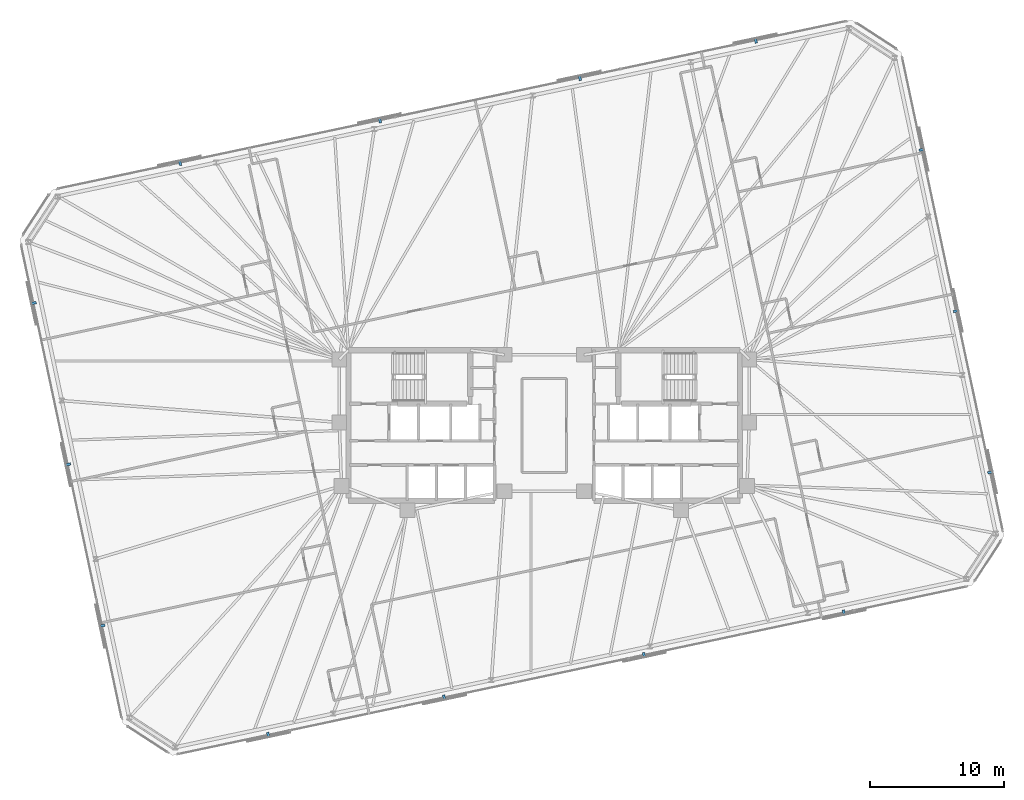
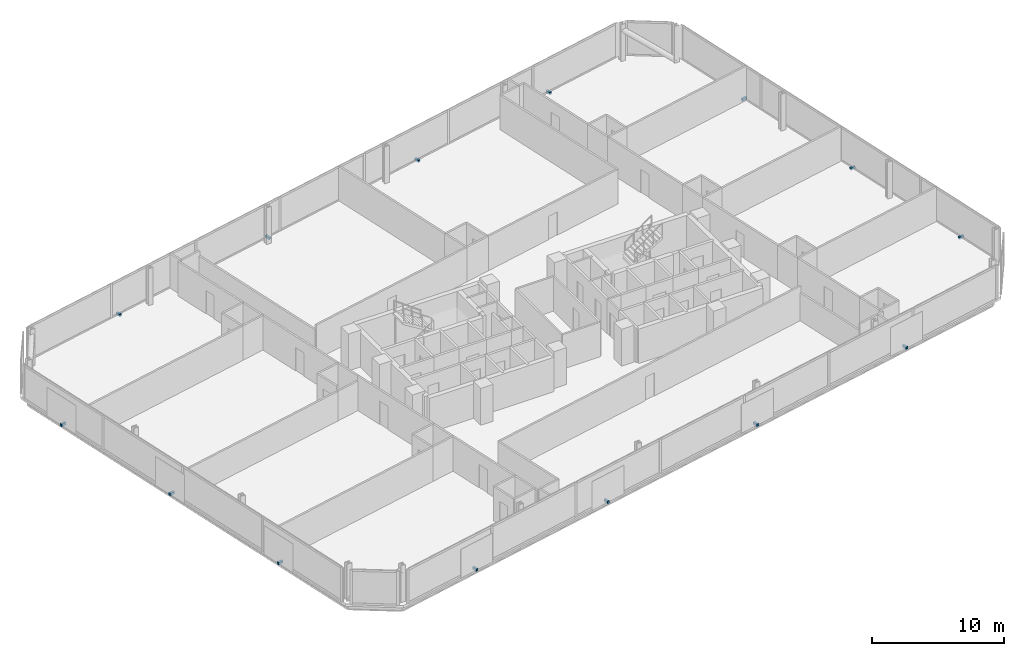
# One storey, part 18 of 19: 14 discrete accessories.
"""IFC4 building model written with IfcOpenShell, lengths in metres."""

from ifc_helpers import new_model, si_unit, direction, frame, origin, origin_2d, place, context, subcontext, project, spatial, rectangle, extrude, material, type_object, element, save


model = new_model("IFC4")

# Units and contexts
model_context = context("Model", 3, precision=1e-05, world=origin(), true_north=direction((0.0, 1.0)))
body_context = subcontext(model_context, "Body", "Model", "MODEL_VIEW")
ifc_project = project(units=[si_unit("LENGTHUNIT", "METRE"), si_unit("AREAUNIT", "SQUARE_METRE"), si_unit("VOLUMEUNIT", "CUBIC_METRE"), si_unit("PLANEANGLEUNIT", "RADIAN"), si_unit("MASSUNIT", "GRAM", prefix="KILO")], contexts=[model_context])

# Site, building, storey
site_placement = place(None, origin())
site = spatial("IfcSite", under=ifc_project, at=site_placement, CompositionType="ELEMENT")
building_placement = place(site_placement, origin())
building = spatial("IfcBuilding", under=site, at=building_placement, Name="Menara Jurai Vektor", CompositionType="ELEMENT")
storey_placement = place(building_placement, frame((0.0, 0.0, 192.199951171875)))
storey = spatial("IfcBuildingStorey", under=building, at=storey_placement, Name="L50", CompositionType="ELEMENT", Elevation=192.199951171875)

# Discrete accessories
ifc_material = material(Name="Steel S355", Category="steel")
discrete_accessory_type = type_object("IfcDiscreteAccessoryType", Name="ENV-ACC-BRACKET", PredefinedType="BRACKET", material=ifc_material)
for number, where, z_axis, x_axis, name in (
    (1, (-20.527099609375, -23.043701171875, -0.1298828125), (0.0, 0.0, 1.0), (0.978147600734, 0.207911690818, 0.0), "Solar Screen Stand-Off Bracket L50-S01"),
    (2, (-7.443115234375, -20.262451171875, -0.1298828125), (0.0, 0.0, 1.0), (0.978147600734, 0.207911690818, 0.0), "Solar Screen Stand-Off Bracket L50-S02"),
    (3, (7.424560546875, -17.102294921875, -0.1298828125), (0.0, 0.0, 1.0), (0.978147600734, 0.207911690818, 0.0), "Solar Screen Stand-Off Bracket L50-S03"),
    (4, (22.29248046875, -13.94189453125, -0.1298828125), (0.0, 0.0, 1.0), (0.978147600734, 0.207911690818, 0.0), "Solar Screen Stand-Off Bracket L50-S04"),
    (5, (33.19580078125, -3.491455078125, -0.1298828125), (0.0, 0.0, 1.0), (-0.207911690818, 0.978147600734, 0.0), "Solar Screen Stand-Off Bracket L50-S05"),
    (6, (30.6455078125, 8.50732421875, -0.1298828125), (0.0, 0.0, 1.0), (-0.207911690818, 0.978147600734, 0.0), "Solar Screen Stand-Off Bracket L50-S06"),
    (7, (28.09521484375, 20.505859375, -0.1298828125), (0.0, 0.0, 1.0), (-0.207911690818, 0.978147600734, 0.0), "Solar Screen Stand-Off Bracket L50-S07"),
    (8, (15.72705078125, 28.6435546875, -0.1298828125), (0.0, 0.0, 1.0), (-0.978147600734, -0.207911690818, 0.0), "Solar Screen Stand-Off Bracket L50-S08"),
    (9, (2.643310546875, 25.862548828125, -0.1298828125), (0.0, 0.0, 1.0), (-0.978147600734, -0.207911690818, 0.0), "Solar Screen Stand-Off Bracket L50-S09"),
    (10, (-12.224609375, 22.702392578125, -0.1298828125), (0.0, 0.0, 1.0), (-0.978147600734, -0.207911690818, 0.0), "Solar Screen Stand-Off Bracket L50-S10"),
    (11, (-27.092529296875, 19.5419921875, -0.1298828125), (0.0, 0.0, 1.0), (-0.978147600734, -0.207911690818, 0.0), "Solar Screen Stand-Off Bracket L50-S11"),
    (12, (-37.995849609375, 9.09130859375, -0.1298828125), (0.0, 0.0, 1.0), (0.207911690818, -0.978147600734, 0.0), "Solar Screen Stand-Off Bracket L50-S12"),
    (13, (-35.445556640625, -2.9072265625, -0.1298828125), (0.0, 0.0, 1.0), (0.207911690818, -0.978147600734, 0.0), "Solar Screen Stand-Off Bracket L50-S13"),
    (14, (-32.895263671875, -14.906005859375, -0.1298828125), (0.0, 0.0, 1.0), (0.207911690818, -0.978147600734, 0.0), "Solar Screen Stand-Off Bracket L50-S14"),
):
    element("IfcDiscreteAccessory", number, at=place(storey_placement, frame(where, z_axis=z_axis, x_axis=x_axis)), inside=storey, type_object=discrete_accessory_type, Name=name, PredefinedType="BRACKET", context=body_context, shape_type="SweptSolid", body=[
        extrude(rectangle(XDim=0.179931640625, YDim=0.43994140625, at=origin_2d()), origin(), (0.0, 0.0, 1.0), 0.219970703125),
    ])

save(model, "model.ifc")
